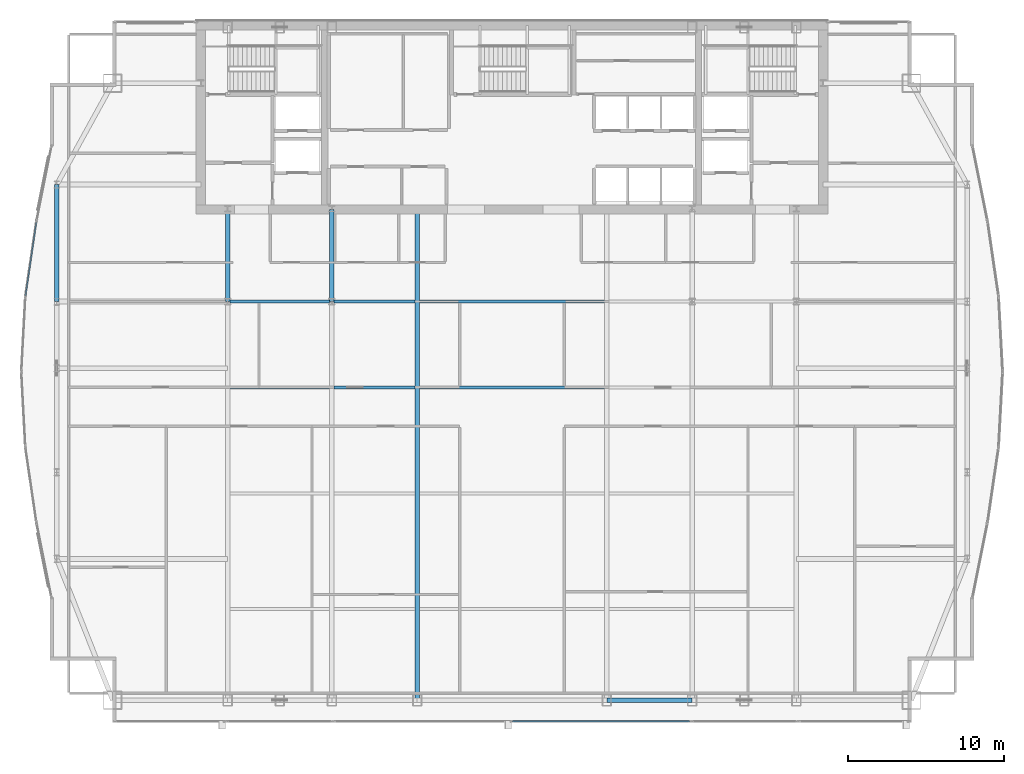
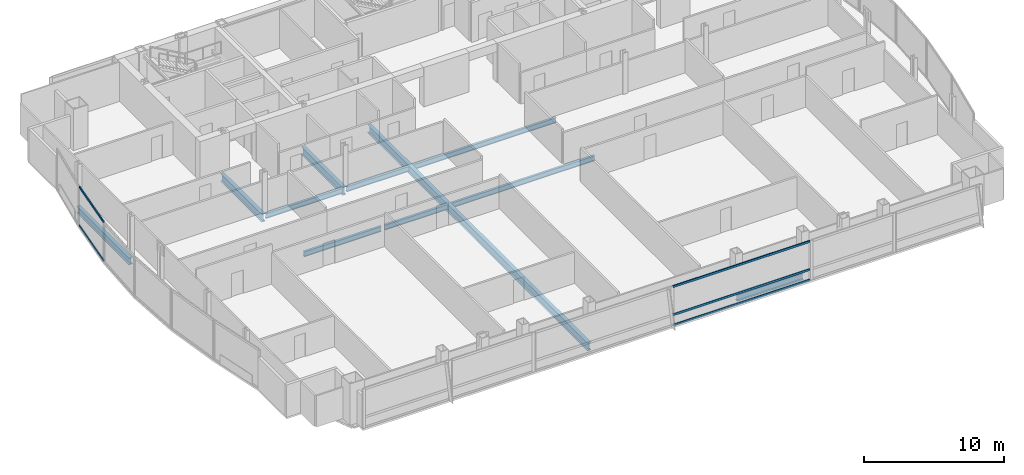
# One storey, part 11 of 30: 11 beams, 5 members, 2 elements without a shape of their own.
"""IFC4 building model written with IfcOpenShell, lengths in metres."""

from ifc_helpers import new_model, si_unit, direction, frame, origin, origin_2d, place, context, subcontext, project, spatial, hollow_rectangle, i_section, extrude, material, material_profile, profile_set, type_object, element, aggregate, save


model = new_model("IFC4")

# Units and contexts
model_context = context("Model", 3, precision=1e-05, world=origin(), true_north=direction((0.0, 1.0)))
body_context = subcontext(model_context, "Body", "Model", "MODEL_VIEW")
ifc_project = project(units=[si_unit("LENGTHUNIT", "METRE"), si_unit("AREAUNIT", "SQUARE_METRE"), si_unit("VOLUMEUNIT", "CUBIC_METRE"), si_unit("PLANEANGLEUNIT", "RADIAN"), si_unit("MASSUNIT", "GRAM", prefix="KILO")], contexts=[model_context])

# Site, building, storey
site_placement = place(None, origin())
site = spatial("IfcSite", under=ifc_project, at=site_placement, CompositionType="ELEMENT")
building_placement = place(site_placement, origin())
building = spatial("IfcBuilding", under=site, at=building_placement, Name="Khoronbel Lancet Exchange", CompositionType="ELEMENT")
storey_placement = place(building_placement, frame((0.0, 0.0, 206.60009765625)))
storey = spatial("IfcBuildingStorey", under=building, at=storey_placement, Name="L52", CompositionType="ELEMENT", Elevation=206.60009765625)

# Beams
ifc_material_1 = material(Name="Steel S355", Category="steel")
ifc_material_profile_1 = material_profile(ifc_material_1, i_section(OverallWidth=0.300048828125, OverallDepth=0.699951171875, WebThickness=0.01708984375, FlangeThickness=0.031982421875, at=origin_2d()), Name="HEB 700")
ifc_profile_set_1 = profile_set([ifc_material_profile_1], Name="Steel S355")
beam_type_1 = type_object("IfcBeamType", Name="BM-BG3", PredefinedType="BEAM", material=ifc_profile_set_1)
for number, where, z_axis, x_axis, name in (
    (1, (18.22509765625, 35.699951171875, -0.510009765625), (0.0, 1.0, 0.0), (-1.0, 0.0, 0.0), "Level L52 spine tie girder GN1"),
    (2, (24.89990234375, 35.699951171875, -0.510009765625), (0.0, 1.0, 0.0), (-1.0, 0.0, 0.0), "Level L52 spine tie girder GN2"),
):
    element("IfcBeam", number, at=place(storey_placement, frame(where, z_axis=z_axis, x_axis=x_axis)), inside=storey, type_object=beam_type_1, Name=name, PredefinedType="BEAM", context=body_context, shape_type="SweptSolid", body=[
        extrude(i_section(OverallWidth=0.300048828125, OverallDepth=0.699951171875, WebThickness=0.01708984375, FlangeThickness=0.031982421875, at=origin_2d()), origin(), (0.0, 0.0, 1.0), 5.900146484375),
    ])
beam_1_placement = place(storey_placement, frame((30.375, 10.14990234375, -0.510009765625), z_axis=(0.0, 1.0, 0.0), x_axis=(-1.0, 0.0, 0.0)))
element("IfcBeam", 3, at=beam_1_placement, inside=storey, type_object=beam_type_1, Name="Level L52 primary floor girder G3", PredefinedType="BEAM", context=body_context, shape_type="SweptSolid", body=[
    extrude(i_section(OverallWidth=0.300048828125, OverallDepth=0.699951171875, WebThickness=0.01708984375, FlangeThickness=0.031982421875, at=origin_2d()), origin(), (0.0, 0.0, 1.0), 31.4501953125),
])
ifc_material_profile_2 = material_profile(ifc_material_1, i_section(OverallWidth=0.18994140625, OverallDepth=0.449951171875, WebThickness=0.009521484375, FlangeThickness=0.0146484375, at=origin_2d()), Name="IPE 450")
ifc_profile_set_2 = profile_set([ifc_material_profile_2], Name="Steel S355")
beam_type_2 = type_object("IfcBeamType", Name="BM-BJ4", PredefinedType="JOIST", material=ifc_profile_set_2)
beam_2_placement = place(storey_placement, frame((18.375, 30.199951171875, -0.385009765625), z_axis=(1.0, 0.0, 0.0), x_axis=(0.0, 1.0, 0.0)))
element("IfcBeam", 4, at=beam_2_placement, inside=storey, type_object=beam_type_2, Name="Level L52 secondary composite joist J11", PredefinedType="JOIST", context=body_context, shape_type="SweptSolid", body=[
    extrude(i_section(OverallWidth=0.18994140625, OverallDepth=0.449951171875, WebThickness=0.009521484375, FlangeThickness=0.0146484375, at=origin_2d()), origin(), (0.0, 0.0, 1.0), 6.375),
])
beam_3_placement = place(storey_placement, frame((25.050048828125, 30.199951171875, -0.385009765625), z_axis=(1.0, 0.0, 0.0), x_axis=(0.0, 1.0, 0.0)))
element("IfcBeam", 5, at=beam_3_placement, inside=storey, type_object=beam_type_2, Name="Level L52 secondary composite joist J12", PredefinedType="JOIST", context=body_context, shape_type="SweptSolid", body=[
    extrude(i_section(OverallWidth=0.18994140625, OverallDepth=0.449951171875, WebThickness=0.009521484375, FlangeThickness=0.0146484375, at=origin_2d()), origin(), (0.0, 0.0, 1.0), 5.175048828125),
])
beam_4_placement = place(storey_placement, frame((30.52490234375, 30.199951171875, -0.385009765625), z_axis=(1.0, 0.0, 0.0), x_axis=(0.0, 1.0, 0.0)))
element("IfcBeam", 6, at=beam_4_placement, inside=storey, type_object=beam_type_2, Name="Level L52 secondary composite joist J13", PredefinedType="JOIST", context=body_context, shape_type="SweptSolid", body=[
    extrude(i_section(OverallWidth=0.18994140625, OverallDepth=0.449951171875, WebThickness=0.009521484375, FlangeThickness=0.0146484375, at=origin_2d()), origin(), (0.0, 0.0, 1.0), 11.85009765625),
])
beam_5_placement = place(storey_placement, frame((18.375, 35.699951171875, -0.385009765625), z_axis=(1.0, 0.0, 0.0), x_axis=(0.0, 1.0, 0.0)))
element("IfcBeam", 7, at=beam_5_placement, inside=storey, type_object=beam_type_2, Name="Level L52 secondary composite joist J16", PredefinedType="JOIST", context=body_context, shape_type="SweptSolid", body=[
    extrude(i_section(OverallWidth=0.18994140625, OverallDepth=0.449951171875, WebThickness=0.009521484375, FlangeThickness=0.0146484375, at=origin_2d()), origin(), (0.0, 0.0, 1.0), 6.375),
])
beam_6_placement = place(storey_placement, frame((25.050048828125, 35.699951171875, -0.385009765625), z_axis=(1.0, 0.0, 0.0), x_axis=(0.0, 1.0, 0.0)))
element("IfcBeam", 8, at=beam_6_placement, inside=storey, type_object=beam_type_2, Name="Level L52 secondary composite joist J17", PredefinedType="JOIST", context=body_context, shape_type="SweptSolid", body=[
    extrude(i_section(OverallWidth=0.18994140625, OverallDepth=0.449951171875, WebThickness=0.009521484375, FlangeThickness=0.0146484375, at=origin_2d()), origin(), (0.0, 0.0, 1.0), 5.175048828125),
])
beam_7_placement = place(storey_placement, frame((30.52490234375, 35.699951171875, -0.385009765625), z_axis=(1.0, 0.0, 0.0), x_axis=(0.0, 1.0, 0.0)))
element("IfcBeam", 9, at=beam_7_placement, inside=storey, type_object=beam_type_2, Name="Level L52 secondary composite joist J18", PredefinedType="JOIST", context=body_context, shape_type="SweptSolid", body=[
    extrude(i_section(OverallWidth=0.18994140625, OverallDepth=0.449951171875, WebThickness=0.009521484375, FlangeThickness=0.0146484375, at=origin_2d()), origin(), (0.0, 0.0, 1.0), 11.85009765625),
])
ifc_material_profile_3 = material_profile(ifc_material_1, i_section(OverallWidth=0.300048828125, OverallDepth=0.60009765625, WebThickness=0.015380859375, FlangeThickness=0.030029296875, at=origin_2d()), Name="HEB 600")
ifc_profile_set_3 = profile_set([ifc_material_profile_3], Name="Steel S355")
beam_type_3 = type_object("IfcBeamType", Name="BM-BSP2", PredefinedType="SPANDREL", material=ifc_profile_set_3)
beam_8_placement = place(storey_placement, frame((42.52490234375, 10.14990234375, -0.460205078125), z_axis=(1.0, 0.0, 0.0), x_axis=(0.0, 1.0, 0.0)))
element("IfcBeam", 10, at=beam_8_placement, inside=storey, type_object=beam_type_3, Name="Level L52 perimeter spandrel beam SP06", PredefinedType="SPANDREL", context=body_context, shape_type="SweptSolid", body=[
    extrude(i_section(OverallWidth=0.300048828125, OverallDepth=0.60009765625, WebThickness=0.015380859375, FlangeThickness=0.030029296875, at=origin_2d()), origin(), (0.0, 0.0, 1.0), 5.47509765625),
])
beam_9_placement = place(storey_placement, frame((7.27001953125, 43.199951171875, -0.460205078125), z_axis=(0.0, -1.0, 0.0), x_axis=(1.0, 0.0, 0.0)))
element("IfcBeam", 11, at=beam_9_placement, inside=storey, type_object=beam_type_3, Name="Level L52 perimeter spandrel beam SP17", PredefinedType="SPANDREL", context=body_context, shape_type="SweptSolid", body=[
    extrude(i_section(OverallWidth=0.300048828125, OverallDepth=0.60009765625, WebThickness=0.015380859375, FlangeThickness=0.030029296875, at=origin_2d()), origin(), (0.0, 0.0, 1.0), 7.5),
])

# Curtain wall, members
ifc_material_2 = material(Name="Low-E Solar Control Insulating Glass", Category="glass")
curtain_wall_type_1 = type_object("IfcCurtainWallType", Name="CW-4", PredefinedType="NOTDEFINED", material=ifc_material_2)
curtain_wall_1_placement = place(storey_placement, origin())
curtain_wall_1 = element("IfcCurtainWall", 12, at=curtain_wall_1_placement, inside=storey, type_object=curtain_wall_type_1, Name="Unitised curtain wall CW-L52-E08", PredefinedType="NOTDEFINED")
ifc_material_3 = material(Name="Bronze-Anodised Aluminium 6063-T6", Category="aluminium")
ifc_material_profile_4 = material_profile(ifc_material_3, hollow_rectangle(XDim=0.0849609375, YDim=0.179931640625, WallThickness=0.0048828125, at=origin_2d()), Name="ALU TRANSOM 85x180")
ifc_profile_set_4 = profile_set([ifc_material_profile_4], Name="Bronze-Anodised Aluminium 6063-T6")
member_type = type_object("IfcMemberType", Name="MEM-CWT1", PredefinedType="USERDEFINED", material=ifc_profile_set_4)
member_1_placement = place(storey_placement, frame((5.2705078125, 36.098388671875, 0.04248046875), z_axis=(0.145381031361, 0.989375740414, 0.0), x_axis=(-0.989375740414, 0.145381031361, 0.0)))
member_1 = element("IfcMember", 13, at=member_1_placement, type_object=member_type, Name="CW4 transom 1.1", ObjectType="TRANSOM", PredefinedType="USERDEFINED", context=body_context, shape_type="SweptSolid", body=[
    extrude(hollow_rectangle(XDim=0.0849609375, YDim=0.179931640625, WallThickness=0.0048828125, at=origin_2d()), origin(), (0.0, 0.0, 1.0), 4.72900390625),
])
member_2_placement = place(storey_placement, frame((5.2705078125, 36.098388671875, 3.3974609375), z_axis=(0.145381031361, 0.989375740414, 0.0), x_axis=(-0.989375740414, 0.145381031361, 0.0)))
member_2 = element("IfcMember", 14, at=member_2_placement, type_object=member_type, Name="CW4 transom 1.2", ObjectType="TRANSOM", PredefinedType="USERDEFINED", context=body_context, shape_type="SweptSolid", body=[
    extrude(hollow_rectangle(XDim=0.0849609375, YDim=0.179931640625, WallThickness=0.0048828125, at=origin_2d()), origin(), (0.0, 0.0, 1.0), 4.72900390625),
])
aggregate(curtain_wall_1, [member_1, member_2])

curtain_wall_type_2 = type_object("IfcCurtainWallType", Name="CW-3", PredefinedType="NOTDEFINED", material=ifc_material_2)
curtain_wall_2_placement = place(storey_placement, origin())
curtain_wall_2 = element("IfcCurtainWall", 15, at=curtain_wall_2_placement, inside=storey, type_object=curtain_wall_type_2, Name="Unitised curtain wall CW-L52-SCV", PredefinedType="NOTDEFINED")
member_3_placement = place(storey_placement, frame((36.492431640625, 8.7900390625, 0.04248046875), z_axis=(1.0, 0.0, 0.0), x_axis=(0.0, 1.0, 0.0)))
member_3 = element("IfcMember", 16, at=member_3_placement, type_object=member_type, Name="CW3 transom 2.1", ObjectType="TRANSOM", PredefinedType="USERDEFINED", context=body_context, shape_type="SweptSolid", body=[
    extrude(hollow_rectangle(XDim=0.0849609375, YDim=0.179931640625, WallThickness=0.0048828125, at=origin_2d()), origin(), (0.0, 0.0, 1.0), 11.322509765625),
])
member_4_placement = place(storey_placement, frame((36.492431640625, 8.7900390625, 0.949951171875), z_axis=(1.0, 0.0, 0.0), x_axis=(0.0, 1.0, 0.0)))
member_4 = element("IfcMember", 17, at=member_4_placement, type_object=member_type, Name="CW3 transom 2.2", ObjectType="TRANSOM", PredefinedType="USERDEFINED", context=body_context, shape_type="SweptSolid", body=[
    extrude(hollow_rectangle(XDim=0.0849609375, YDim=0.179931640625, WallThickness=0.0048828125, at=origin_2d()), origin(), (0.0, 0.0, 1.0), 11.322509765625),
])
member_5_placement = place(storey_placement, frame((36.492431640625, 8.7900390625, 3.3974609375), z_axis=(1.0, 0.0, 0.0), x_axis=(0.0, 1.0, 0.0)))
member_5 = element("IfcMember", 18, at=member_5_placement, type_object=member_type, Name="CW3 transom 2.3", ObjectType="TRANSOM", PredefinedType="USERDEFINED", context=body_context, shape_type="SweptSolid", body=[
    extrude(hollow_rectangle(XDim=0.0849609375, YDim=0.179931640625, WallThickness=0.0048828125, at=origin_2d()), origin(), (0.0, 0.0, 1.0), 11.322509765625),
])
aggregate(curtain_wall_2, [member_3, member_4, member_5])

save(model, "model.ifc")
